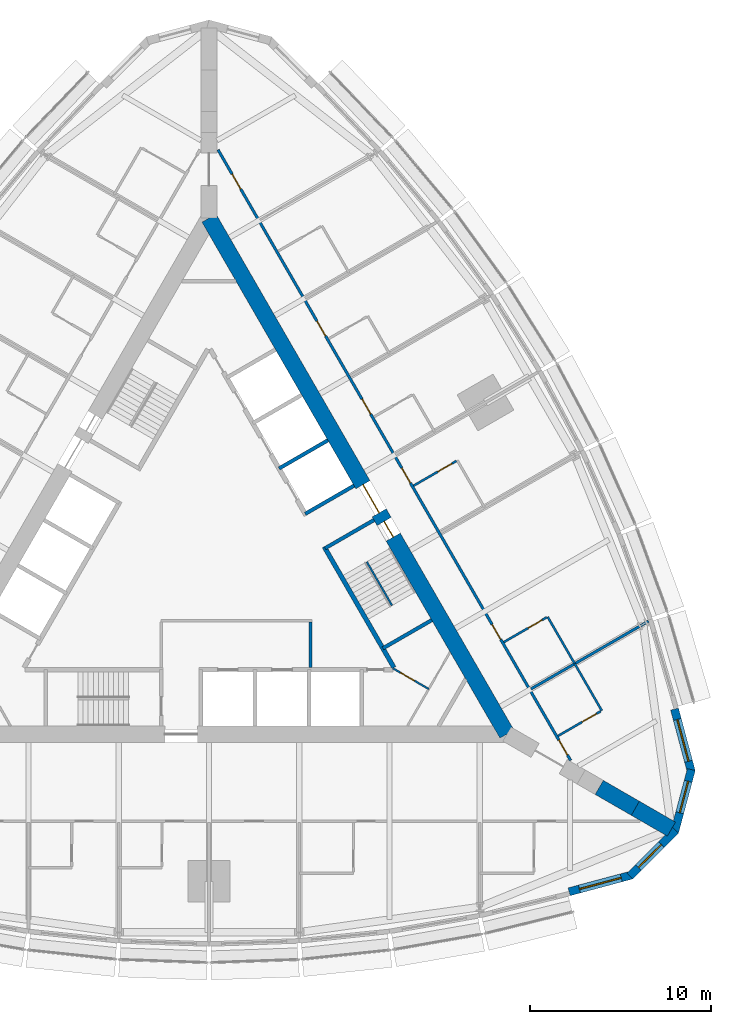
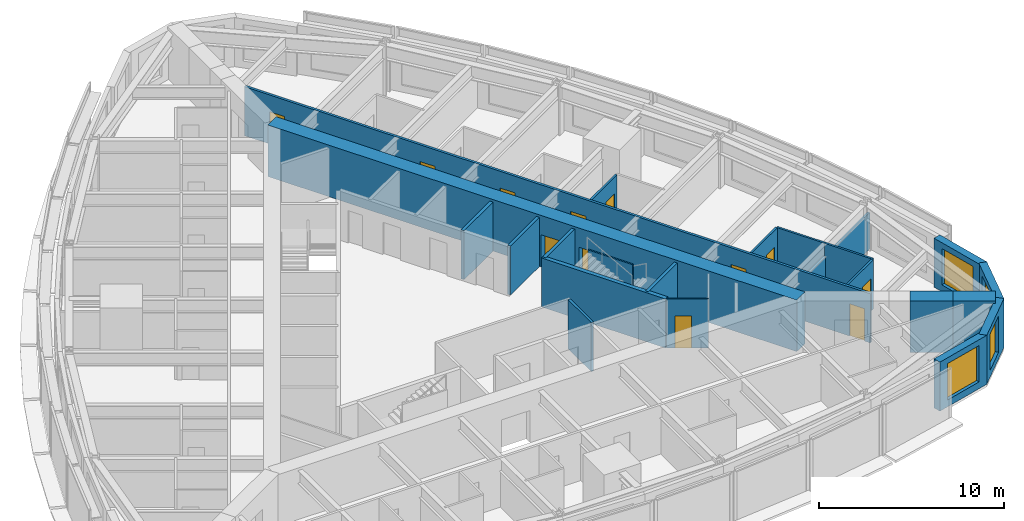
# One storey, part 11 of 14: 22 walls, 12 doors, 4 windows, 16 openings.
"""IFC4 building model written with IfcOpenShell, lengths in metres."""

import ifcopenshell
import ifcopenshell.guid

model = None  # the IFC model being written
_history = None  # IfcOwnerHistory: only IFC2X3 demands one
_inside = {}  # id of a spatial element -> (the spatial element, [elements in it])
_under = {}  # id of a project, library or spatial element -> (it, [spatial elements below it])
_declared = {}  # id of a project -> (the project, [libraries it declares])
_typed = {}  # id of a type object -> (the type object, [elements of that type])
_made_of = {}  # id of a material, layer set ... -> (it, [elements and type objects made of it])


def new_model(schema):
    """Start an empty IFC model of exactly this schema.

    Asked for "IFC4X3", IfcOpenShell would pick the latest addendum, in which some entities
    have other attributes; the version numbers below select the first issue.
    IFC2X3 requires an IfcOwnerHistory on every rooted entity: one is made here for all.
    """
    global model, _history
    if schema == "IFC4X3":
        model = ifcopenshell.file(schema_version=(4, 3, 0, 0))
    else:
        model = ifcopenshell.file(schema=schema)
    _inside.clear()
    _under.clear()
    _declared.clear()
    _typed.clear()
    _made_of.clear()
    _history = None
    if model.schema == "IFC2X3":
        org = make("IfcOrganization", Name="unknown")
        user = make(
            "IfcPersonAndOrganization",
            ThePerson=make("IfcPerson", FamilyName="unknown"),
            TheOrganization=org,
        )
        app = make(
            "IfcApplication",
            ApplicationDeveloper=org,
            Version="unknown",
            ApplicationFullName="unknown",
            ApplicationIdentifier="unknown",
        )
        _history = make(
            "IfcOwnerHistory",
            OwningUser=user,
            OwningApplication=app,
            ChangeAction="ADDED",
            CreationDate=0,
        )
    return model


def make(cls, **values):
    """One entity of the class cls with the attributes given. An attribute that is None is left unset."""
    return model.create_entity(
        cls, **{name: value for name, value in values.items() if value is not None}
    )


def rooted(cls, **values):
    """An entity with a GlobalId (a new one), such as an element, a storey or a relation."""
    return make(cls, GlobalId=ifcopenshell.guid.new(), OwnerHistory=_history, **values)


def si_unit(unit_type, name, prefix=None):
    """IfcSIUnit, for example si_unit("LENGTHUNIT", "METRE", prefix="MILLI")."""
    return make("IfcSIUnit", UnitType=unit_type, Prefix=prefix, Name=name)


def assignment(units):
    """IfcUnitAssignment: the units of a project."""
    return None if units is None else make("IfcUnitAssignment", Units=units)


def point(xyz):
    """IfcCartesianPoint."""
    return None if xyz is None else make("IfcCartesianPoint", Coordinates=xyz)


def direction(xyz):
    """IfcDirection."""
    return None if xyz is None else make("IfcDirection", DirectionRatios=xyz)


def frame(location, z_axis=None, x_axis=None):
    """IfcAxis2Placement3D, a coordinate frame: its origin and axes. An axis left out is left unset."""
    return make(
        "IfcAxis2Placement3D",
        Location=point(location),
        Axis=direction(z_axis),
        RefDirection=direction(x_axis),
    )


def frame_2d(location, x_axis=None):
    """IfcAxis2Placement2D, a coordinate frame in the plane: its origin and x axis."""
    return make(
        "IfcAxis2Placement2D", Location=point(location), RefDirection=direction(x_axis)
    )


def origin():
    """The frame at (0, 0, 0) with its axes left unset."""
    return frame((0.0, 0.0, 0.0))


def place(relative_to, where):
    """IfcLocalPlacement: puts the frame where relative to a parent placement (None: the world)."""
    return make(
        "IfcLocalPlacement", PlacementRelTo=relative_to, RelativePlacement=where
    )


def context(
    kind, dimensions, precision=None, world=None, true_north=None, identifier=None
):
    """IfcGeometricRepresentationContext, for example the 3D "Model" context."""
    return make(
        "IfcGeometricRepresentationContext",
        ContextIdentifier=identifier,
        ContextType=kind,
        CoordinateSpaceDimension=dimensions,
        Precision=precision,
        WorldCoordinateSystem=world,
        TrueNorth=true_north,
    )


def subcontext(parent, identifier, kind, view, scale=None):
    """IfcGeometricRepresentationSubContext, for example "Body" below "Model"."""
    return make(
        "IfcGeometricRepresentationSubContext",
        ContextIdentifier=identifier,
        ContextType=kind,
        ParentContext=parent,
        TargetScale=scale,
        TargetView=view,
    )


def project(units=None, contexts=None):
    """IfcProject with its units and contexts."""
    return rooted(
        "IfcProject",
        Name="project",
        RepresentationContexts=contexts,
        UnitsInContext=assignment(units),
    )


def spatial(cls, under=None, at=None, **own):
    """A site, building, storey or space (cls), placed at a placement, below another one or the project."""
    s = rooted(cls, ObjectPlacement=at, **own)
    if under is not None:
        _under.setdefault(under.id(), (under, []))[1].append(s)
    return s


def polyline(points):
    """IfcPolyline through the points."""
    return make("IfcPolyline", Points=[point(p) for p in points])


def profile(cls, at=None, kind="AREA", **sizes):
    """A parametric profile (cls). Its sizes go by their IFC names, for example OverallWidth=200.0."""
    return make(cls, ProfileType=kind, Position=at, **sizes)


def rectangle(**sizes):
    """IfcRectangleProfileDef."""
    return profile("IfcRectangleProfileDef", **sizes)


def outline(outer, holes=None, kind="AREA"):
    """IfcArbitraryClosedProfileDef: a profile drawn as a closed curve; with holes, ...WithVoids."""
    if holes is None:
        return make("IfcArbitraryClosedProfileDef", ProfileType=kind, OuterCurve=outer)
    return make(
        "IfcArbitraryProfileDefWithVoids",
        ProfileType=kind,
        OuterCurve=outer,
        InnerCurves=holes,
    )


def extrude(swept, where, along, depth):
    """IfcExtrudedAreaSolid: the profile swept, set in the frame where, extruded along a direction by depth."""
    return make(
        "IfcExtrudedAreaSolid",
        SweptArea=swept,
        Position=where,
        ExtrudedDirection=direction(along),
        Depth=depth,
    )


def shape(context_of_items, identifier, shape_type, items):
    """IfcShapeRepresentation: the items that make up one representation, for example the "Body"."""
    return make(
        "IfcShapeRepresentation",
        ContextOfItems=context_of_items,
        RepresentationIdentifier=identifier,
        RepresentationType=shape_type,
        Items=items,
    )


def material(Name=None, Category=None):
    """IfcMaterial."""
    return make("IfcMaterial", Name=Name, Category=Category)


def layer(
    of_material, thickness, ventilated=None, Name=None, Category=None, Priority=None
):
    """IfcMaterialLayer: one layer of a wall or slab, of a material (None: an air gap)."""
    return make(
        "IfcMaterialLayer",
        Material=of_material,
        LayerThickness=thickness,
        IsVentilated=ventilated,
        Name=Name,
        Category=Category,
        Priority=Priority,
    )


def layer_set(layers, Name=None):
    """IfcMaterialLayerSet."""
    return make("IfcMaterialLayerSet", MaterialLayers=layers, LayerSetName=Name)


def made_of(thing, what):
    """Note that an element or type object is made of a material, layer set ...; save() writes the relation."""
    if what is not None:
        _made_of.setdefault(what.id(), (what, []))[1].append(thing)
    return thing


def type_object(cls, material=None, **own):
    """A type object (cls), such as IfcWallType, which elements share."""
    return made_of(rooted(cls, **own), material)


def element(
    cls,
    number,
    at=None,
    inside=None,
    cuts=None,
    type_object=None,
    material=None,
    context=None,
    identifier="Body",
    shape_type=None,
    held_by="IfcProductDefinitionShape",
    body=None,
    shapes=None,
    **own,
):
    """One element of the class cls, such as IfcWall. Its Tag is "e" and its number.

    at: its placement. inside: the storey or other place that contains it. cuts: it is an
    opening in that element (IfcRelVoidsElement). A single representation is given by context,
    identifier, shape_type and body (its items); several are given by shapes. held_by: the class
    of the entity that holds the representations. save() writes the other relations.
    """
    e = rooted(cls, Tag="e%d" % number, ObjectPlacement=at, **own)
    if body is not None:
        shapes = [shape(context, identifier, shape_type, body)]
    if shapes is not None:
        e.Representation = make(held_by, Representations=shapes)
    if inside is not None:
        _inside.setdefault(inside.id(), (inside, []))[1].append(e)
    if cuts is not None:
        rooted(
            "IfcRelVoidsElement", RelatingBuildingElement=cuts, RelatedOpeningElement=e
        )
    if type_object is not None:
        _typed.setdefault(type_object.id(), (type_object, []))[1].append(e)
    return made_of(e, material)


def fill(opening, filler):
    """IfcRelFillsElement: the door or window that sits in an opening."""
    return rooted(
        "IfcRelFillsElement",
        RelatingOpeningElement=opening,
        RelatedBuildingElement=filler,
    )


def aggregate(whole, parts):
    """IfcRelAggregates: a whole, such as a stair, and the parts it consists of."""
    return rooted("IfcRelAggregates", RelatingObject=whole, RelatedObjects=parts)


def save(model, path):
    """Write the relations noted so far, then the file.

    IfcRelAggregates (storeys below a building ...), IfcRelContainedInSpatialStructure (elements
    in a storey), IfcRelDefinesByType, IfcRelAssociatesMaterial and IfcRelDeclares: one each for
    every whole, place, type object, material and project.
    """
    for whole, parts in _under.values():
        aggregate(whole, parts)
    for where, things in _inside.values():
        rooted(
            "IfcRelContainedInSpatialStructure",
            RelatedElements=things,
            RelatingStructure=where,
        )
    for kind, things in _typed.values():
        rooted("IfcRelDefinesByType", RelatedObjects=things, RelatingType=kind)
    for what, things in _made_of.values():
        rooted("IfcRelAssociatesMaterial", RelatedObjects=things, RelatingMaterial=what)
    for by, libraries in _declared.values():
        rooted("IfcRelDeclares", RelatingContext=by, RelatedDefinitions=libraries)
    model.write(path)


model = new_model("IFC4")

# Units and contexts
model_context = context("Model", 3, precision=1e-05, world=origin(), true_north=direction((0.0, 1.0)))
body_context = subcontext(model_context, "Body", "Model", "MODEL_VIEW")
ifc_project = project(units=[si_unit("LENGTHUNIT", "METRE"), si_unit("AREAUNIT", "SQUARE_METRE"), si_unit("VOLUMEUNIT", "CUBIC_METRE"), si_unit("PLANEANGLEUNIT", "RADIAN"), si_unit("MASSUNIT", "GRAM", prefix="KILO")], contexts=[model_context])

# Site, building, storey
site_placement = place(None, origin())
site = spatial("IfcSite", under=ifc_project, at=site_placement, CompositionType="ELEMENT")
building_placement = place(site_placement, origin())
building = spatial("IfcBuilding", under=site, at=building_placement, Name="Trikona Tower", CompositionType="ELEMENT")
storey_placement = place(building_placement, frame((0.0, 0.0, 121.5)))
storey = spatial("IfcBuildingStorey", under=building, at=storey_placement, Name="L31", CompositionType="ELEMENT", Elevation=121.5)

# Wall
ifc_material_1 = material(Name="Metal stud and cement board", Category="gypsum")
ifc_layer_1 = layer(ifc_material_1, 0.1201171875)
ifc_layer_set_1 = layer_set([ifc_layer_1], Name="Bathroom wall 120")
wall_type_1 = type_object("IfcWallType", Name="Bathroom wall 120", PredefinedType="PLUMBINGWALL", material=ifc_layer_set_1)
wall_1_placement = place(storey_placement, frame((21.75341796875, -8.225341796875, 0.0), z_axis=(0.0, 0.0, 1.0), x_axis=(-0.499990139034, 0.866031096941, 0.0)))
element("IfcWall", 1, at=wall_1_placement, inside=storey, type_object=wall_type_1, Name="Bathroom wall 3107", PredefinedType="PLUMBINGWALL", context=body_context, shape_type="SweptSolid", body=[
    extrude(rectangle(XDim=3.0, YDim=0.1201171875, at=frame_2d((1.5, 0.0))), origin(), (0.0, 0.0, 1.0), 3.235107421875),
])

# Wall, opening, door
wall_2_placement = place(storey_placement, frame((19.32861328125, -9.625244140625, 0.0), z_axis=(0.0, 0.0, 1.0), x_axis=(0.866035715982, 0.499982138324, 0.0)))
wall_2 = element("IfcWall", 2, at=wall_2_placement, inside=storey, type_object=wall_type_1, Name="Bathroom wall 3107", PredefinedType="PLUMBINGWALL", context=body_context, shape_type="SweptSolid", body=[
    extrude(rectangle(XDim=2.73974609375, YDim=0.1201171875, at=frame_2d((1.369873046875, 0.0))), origin(), (0.0, 0.0, 1.0), 3.235107421875),
])
opening_1_placement = place(wall_2_placement, frame((1.550048828125, 0.0, 0.0)))
opening_1 = element("IfcOpeningElement", 3, at=opening_1_placement, cuts=wall_2, Name="Opening D2", PredefinedType="OPENING", context=body_context, shape_type="SweptSolid", body=[
    extrude(rectangle(XDim=0.89990234375, YDim=2.1298828125, at=frame_2d((0.449951171875, 1.06494140625))), frame((0.0, 0.070068359375, 0.0), z_axis=(0.0, -1.0, 0.0), x_axis=(1.0, 0.0, 0.0)), (0.0, 0.0, 1.0), 0.14013671875),
])
ifc_material_2 = material(Name="Steel door frame with solid-core timber leaf", Category="steel")
door_type_1 = type_object("IfcDoorType", Name="Bathroom door 900x2130", OperationType="SLIDING_TO_LEFT", PredefinedType="DOOR", material=ifc_material_2)
door_1_placement = place(opening_1_placement, origin())
door_1 = element("IfcDoor", 4, at=door_1_placement, inside=storey, type_object=door_type_1, Name="Bathroom door 3107", OperationType="SLIDING_TO_LEFT", OverallHeight=2.1298828125, OverallWidth=0.89990234375, PredefinedType="DOOR", context=body_context, shape_type="SweptSolid", body=[
    extrude(rectangle(XDim=0.89990234375, YDim=2.1298828125, at=frame_2d((0.449951171875, 1.06494140625))), frame((0.0, 0.02490234375, 0.0), z_axis=(0.0, -1.0, 0.0), x_axis=(1.0, 0.0, 0.0)), (0.0, 0.0, 1.0), 0.050048828125),
])
fill(opening_1, door_1)

# Wall
wall_3_placement = place(storey_placement, frame((20.25341796875, -5.627197265625, 0.0), z_axis=(0.0, 0.0, 1.0), x_axis=(-0.50002537861, 0.866010750942, 0.0)))
element("IfcWall", 5, at=wall_3_placement, inside=storey, type_object=wall_type_1, Name="Bathroom wall 3108", PredefinedType="PLUMBINGWALL", context=body_context, shape_type="SweptSolid", body=[
    extrude(rectangle(XDim=2.999755859375, YDim=0.1201171875, at=frame_2d((1.5, 0.0))), origin(), (0.0, 0.0, 1.0), 3.235107421875),
])

# Wall, opening, door
wall_4_placement = place(storey_placement, frame((16.32861328125, -4.42919921875, 0.0), z_axis=(0.0, 0.0, 1.0), x_axis=(0.865997131366, 0.500048966069, 0.0)))
wall_4 = element("IfcWall", 6, at=wall_4_placement, inside=storey, type_object=wall_type_1, Name="Bathroom wall 3108", PredefinedType="PLUMBINGWALL", context=body_context, shape_type="SweptSolid", body=[
    extrude(rectangle(XDim=2.739990234375, YDim=0.1201171875, at=frame_2d((1.3701171875, 0.0))), origin(), (0.0, 0.0, 1.0), 3.235107421875),
])
opening_2_placement = place(wall_4_placement, frame((1.550048828125, 0.0, 0.0)))
opening_2 = element("IfcOpeningElement", 7, at=opening_2_placement, cuts=wall_4, Name="Opening D2", PredefinedType="OPENING", context=body_context, shape_type="SweptSolid", body=[
    extrude(rectangle(XDim=0.89990234375, YDim=2.1298828125, at=frame_2d((0.449951171875, 1.06494140625))), frame((0.0, 0.070068359375, 0.0), z_axis=(0.0, -1.0, 0.0), x_axis=(1.0, 0.0, 0.0)), (0.0, 0.0, 1.0), 0.14013671875),
])
door_2_placement = place(opening_2_placement, origin())
door_2 = element("IfcDoor", 8, at=door_2_placement, inside=storey, type_object=door_type_1, Name="Bathroom door 3108", OperationType="SLIDING_TO_LEFT", OverallHeight=2.1298828125, OverallWidth=0.89990234375, PredefinedType="DOOR", context=body_context, shape_type="SweptSolid", body=[
    extrude(rectangle(XDim=0.89990234375, YDim=2.1298828125, at=frame_2d((0.449951171875, 1.06494140625))), frame((0.0, 0.02490234375, 0.0), z_axis=(0.0, -1.0, 0.0), x_axis=(1.0, 0.0, 0.0)), (0.0, 0.0, 1.0), 0.050048828125),
])
fill(opening_2, door_2)

wall_5_placement = place(storey_placement, frame((11.32861328125, 4.231201171875, 0.0), z_axis=(0.0, 0.0, 1.0), x_axis=(0.866035715982, 0.499982138324, 0.0)))
wall_5 = element("IfcWall", 9, at=wall_5_placement, inside=storey, type_object=wall_type_1, Name="Bathroom wall 3109", PredefinedType="PLUMBINGWALL", context=body_context, shape_type="SweptSolid", body=[
    extrude(rectangle(XDim=2.73974609375, YDim=0.1201171875, at=frame_2d((1.369873046875, 0.0))), origin(), (0.0, 0.0, 1.0), 3.235107421875),
])
opening_3_placement = place(wall_5_placement, frame((1.550048828125, 0.0, 0.0)))
opening_3 = element("IfcOpeningElement", 10, at=opening_3_placement, cuts=wall_5, Name="Opening D2", PredefinedType="OPENING", context=body_context, shape_type="SweptSolid", body=[
    extrude(rectangle(XDim=0.89990234375, YDim=2.1298828125, at=frame_2d((0.449951171875, 1.06494140625))), frame((0.0, 0.070068359375, 0.0), z_axis=(0.0, -1.0, 0.0), x_axis=(1.0, 0.0, 0.0)), (0.0, 0.0, 1.0), 0.14013671875),
])
door_3_placement = place(opening_3_placement, origin())
door_3 = element("IfcDoor", 11, at=door_3_placement, inside=storey, type_object=door_type_1, Name="Bathroom door 3109", OperationType="SLIDING_TO_LEFT", OverallHeight=2.1298828125, OverallWidth=0.89990234375, PredefinedType="DOOR", context=body_context, shape_type="SweptSolid", body=[
    extrude(rectangle(XDim=0.89990234375, YDim=2.1298828125, at=frame_2d((0.449951171875, 1.06494140625))), frame((0.0, 0.02490234375, 0.0), z_axis=(0.0, -1.0, 0.0), x_axis=(1.0, 0.0, 0.0)), (0.0, 0.0, 1.0), 0.050048828125),
])
fill(opening_3, door_3)

# Wall, opening, window
ifc_material_3 = material(Name="Brick-faced precast concrete", Category="masonry")
ifc_layer_2 = layer(ifc_material_3, 0.449951171875)
ifc_layer_set_2 = layer_set([ifc_layer_2], Name="Brick-faced corner wall 450")
wall_type_2 = type_object("IfcWallType", Name="Brick-faced corner wall 450", PredefinedType="SOLIDWALL", material=ifc_layer_set_2)
wall_6_placement = place(storey_placement, frame((19.94189453125, -18.2578125, 0.0), z_axis=(0.0, 0.0, 1.0), x_axis=(0.965924653531, 0.258823421857, 0.0)))
wall_6 = element("IfcWall", 12, at=wall_6_placement, inside=storey, type_object=wall_type_2, Name="External wall L31-08", PredefinedType="SOLIDWALL", context=body_context, shape_type="SweptSolid", body=[
    extrude(rectangle(XDim=3.58642578125, YDim=0.449951171875, at=frame_2d((1.793212890625, 0.0))), origin(), (0.0, 0.0, 1.0), 3.235107421875),
])
opening_4_placement = place(wall_6_placement, frame((0.593017578125, 0.0, 0.449951171875)))
opening_4 = element("IfcOpeningElement", 13, at=opening_4_placement, cuts=wall_6, Name="Opening W2424", PredefinedType="OPENING", context=body_context, shape_type="SweptSolid", body=[
    extrude(rectangle(XDim=2.39990234375, YDim=2.39990234375, at=frame_2d((1.199951171875, 1.199951171875))), frame((0.0, 0.23486328125, 0.0), z_axis=(0.0, -1.0, 0.0), x_axis=(1.0, 0.0, 0.0)), (0.0, 0.0, 1.0), 0.469970703125),
])
ifc_material_4 = material(Name="Aluminium-framed double glazing", Category="aluminium")
window_type_1 = type_object("IfcWindowType", Name="Window 2400x2400", PartitioningType="SINGLE_PANEL", PredefinedType="WINDOW", material=ifc_material_4)
window_1_placement = place(opening_4_placement, origin())
window_1 = element("IfcWindow", 14, at=window_1_placement, inside=storey, type_object=window_type_1, Name="Window 3106", OverallHeight=2.39990234375, OverallWidth=2.39990234375, PartitioningType="SINGLE_PANEL", PredefinedType="WINDOW", context=body_context, shape_type="SweptSolid", body=[
    extrude(rectangle(XDim=2.39990234375, YDim=2.39990234375, at=frame_2d((1.199951171875, 1.199951171875))), frame((0.0, 0.030029296875, 0.0), z_axis=(0.0, -1.0, 0.0), x_axis=(1.0, 0.0, 0.0)), (0.0, 0.0, 1.0), 0.06005859375),
])
fill(opening_4, window_1)

wall_7_placement = place(storey_placement, frame((23.304931640625, -17.387939453125, 0.0), z_axis=(0.0, 0.0, 1.0), x_axis=(0.707106781187, 0.707106781187, 0.0)))
wall_7 = element("IfcWall", 15, at=wall_7_placement, inside=storey, type_object=wall_type_2, Name="External wall L31-09", PredefinedType="SOLIDWALL", context=body_context, shape_type="SweptSolid", body=[
    extrude(outline(polyline([(3.586181640625, 0.22509765625), (3.527099609375, 0.22509765625), (3.03515625, 0.09326171875), (3.0, 0.22509765625), (0.0, 0.22509765625), (0.0, -0.22509765625), (3.586181640625, -0.22509765625), (3.586181640625, 0.22509765625)])), origin(), (0.0, 0.0, 1.0), 3.235107421875),
])
opening_5_placement = place(wall_7_placement, frame((0.6748046875, 0.0, 0.449951171875)))
opening_5 = element("IfcOpeningElement", 16, at=opening_5_placement, cuts=wall_7, Name="Opening W1824", PredefinedType="OPENING", context=body_context, shape_type="SweptSolid", body=[
    extrude(rectangle(XDim=1.800048828125, YDim=2.39990234375, at=frame_2d((0.89990234375, 1.199951171875))), frame((0.0, 0.23486328125, 0.0), z_axis=(0.0, -1.0, 0.0), x_axis=(1.0, 0.0, 0.0)), (0.0, 0.0, 1.0), 0.469970703125),
])
ifc_material_5 = material(Name="Aluminium-framed double glazing", Category="aluminium")
window_type_2 = type_object("IfcWindowType", Name="Window 1800x2400", PartitioningType="SINGLE_PANEL", PredefinedType="WINDOW", material=ifc_material_5)
window_2_placement = place(opening_5_placement, origin())
window_2 = element("IfcWindow", 17, at=window_2_placement, inside=storey, type_object=window_type_2, Name="Window 3106", OverallHeight=2.39990234375, OverallWidth=1.800048828125, PartitioningType="SINGLE_PANEL", PredefinedType="WINDOW", context=body_context, shape_type="SweptSolid", body=[
    extrude(rectangle(XDim=1.800048828125, YDim=2.39990234375, at=frame_2d((0.89990234375, 1.199951171875))), frame((0.0, 0.030029296875, 0.0), z_axis=(0.0, -1.0, 0.0), x_axis=(1.0, 0.0, 0.0)), (0.0, 0.0, 1.0), 0.06005859375),
])
fill(opening_5, window_2)

wall_8_placement = place(storey_placement, frame((25.78271484375, -14.952880859375, 0.0), z_axis=(0.0, 0.0, 1.0), x_axis=(0.258823421857, 0.965924653531, 0.0)))
wall_8 = element("IfcWall", 18, at=wall_8_placement, inside=storey, type_object=wall_type_2, Name="External wall L31-10", PredefinedType="SOLIDWALL", context=body_context, shape_type="SweptSolid", body=[
    extrude(outline(polyline([(3.58642578125, 0.22509765625), (0.58642578125, 0.22509765625), (0.551025390625, 0.09326171875), (0.0595703125, 0.22509765625), (0.0, 0.22509765625), (0.0, -0.22509765625), (3.58642578125, -0.22509765625), (3.58642578125, 0.22509765625)])), origin(), (0.0, 0.0, 1.0), 3.235107421875),
])
opening_6_placement = place(wall_8_placement, frame((1.111328125, 0.0, 0.449951171875)))
opening_6 = element("IfcOpeningElement", 19, at=opening_6_placement, cuts=wall_8, Name="Opening W1824", PredefinedType="OPENING", context=body_context, shape_type="SweptSolid", body=[
    extrude(rectangle(XDim=1.800048828125, YDim=2.39990234375, at=frame_2d((0.89990234375, 1.199951171875))), frame((0.0, 0.23486328125, 0.0), z_axis=(0.0, -1.0, 0.0), x_axis=(1.0, 0.0, 0.0)), (0.0, 0.0, 1.0), 0.469970703125),
])
window_3_placement = place(opening_6_placement, origin())
window_3 = element("IfcWindow", 20, at=window_3_placement, inside=storey, type_object=window_type_2, Name="Window 3107", OverallHeight=2.39990234375, OverallWidth=1.800048828125, PartitioningType="SINGLE_PANEL", PredefinedType="WINDOW", context=body_context, shape_type="SweptSolid", body=[
    extrude(rectangle(XDim=1.800048828125, YDim=2.39990234375, at=frame_2d((0.89990234375, 1.199951171875))), frame((0.0, 0.030029296875, 0.0), z_axis=(0.0, -1.0, 0.0), x_axis=(1.0, 0.0, 0.0)), (0.0, 0.0, 1.0), 0.06005859375),
])
fill(opening_6, window_3)

wall_9_placement = place(storey_placement, frame((26.7109375, -11.605224609375, 0.0), z_axis=(0.0, 0.0, 1.0), x_axis=(-0.258823421857, 0.965924653531, 0.0)))
wall_9 = element("IfcWall", 21, at=wall_9_placement, inside=storey, type_object=wall_type_2, Name="External wall L31-11", PredefinedType="SOLIDWALL", context=body_context, shape_type="SweptSolid", body=[
    extrude(rectangle(XDim=3.58642578125, YDim=0.449951171875, at=frame_2d((1.793212890625, 0.0))), origin(), (0.0, 0.0, 1.0), 3.235107421875),
])
opening_7_placement = place(wall_9_placement, frame((0.593017578125, 0.0, 0.449951171875)))
opening_7 = element("IfcOpeningElement", 22, at=opening_7_placement, cuts=wall_9, Name="Opening W2424", PredefinedType="OPENING", context=body_context, shape_type="SweptSolid", body=[
    extrude(rectangle(XDim=2.39990234375, YDim=2.39990234375, at=frame_2d((1.199951171875, 1.199951171875))), frame((0.0, 0.23486328125, 0.0), z_axis=(0.0, -1.0, 0.0), x_axis=(1.0, 0.0, 0.0)), (0.0, 0.0, 1.0), 0.469970703125),
])
window_4_placement = place(opening_7_placement, origin())
window_4 = element("IfcWindow", 23, at=window_4_placement, inside=storey, type_object=window_type_1, Name="Window 3107", OverallHeight=2.39990234375, OverallWidth=2.39990234375, PartitioningType="SINGLE_PANEL", PredefinedType="WINDOW", context=body_context, shape_type="SweptSolid", body=[
    extrude(rectangle(XDim=2.39990234375, YDim=2.39990234375, at=frame_2d((1.199951171875, 1.199951171875))), frame((0.0, 0.030029296875, 0.0), z_axis=(0.0, -1.0, 0.0), x_axis=(1.0, 0.0, 0.0)), (0.0, 0.0, 1.0), 0.06005859375),
])
fill(opening_7, window_4)

# Walls
ifc_material_6 = material(Name="Concrete f'c 10000 psi", Category="concrete")
ifc_layer_3 = layer(ifc_material_6, 0.89990234375)
ifc_layer_set_3 = layer_set([ifc_layer_3], Name="Buttress wall 900")
wall_type_3 = type_object("IfcWallType", Name="Buttress wall 900", PredefinedType="SHEAR", material=ifc_layer_set_3)
for number, where, z_axis, x_axis, name in (
    (24, (21.6103515625, -12.476806640625, 0.0), (0.0, 0.0, 1.0), (0.866055313784, -0.499948190782, 0.0), "Buttress wall 1 part 3"),
    (25, (23.6103515625, -13.63134765625, 0.0), (0.0, 0.0, 1.0), (0.866009537788, -0.500027479704, 0.0), "Buttress wall 1 part 4"),
):
    element("IfcWall", number, at=place(storey_placement, frame(where, z_axis=z_axis, x_axis=x_axis)), inside=storey, type_object=wall_type_3, Name=name, PredefinedType="SHEAR", context=body_context, shape_type="SweptSolid", body=[
        extrude(rectangle(XDim=2.309326171875, YDim=0.89990234375, at=frame_2d((1.15478515625, 0.0))), origin(), (0.0, 0.0, 1.0), 3.39990234375),
    ])

# Wall, openings, doors
ifc_material_7 = material(Name="Concrete f'c 10000 psi", Category="concrete")
ifc_layer_4 = layer(ifc_material_7, 0.89990234375)
ifc_layer_set_4 = layer_set([ifc_layer_4], Name="Core wall 900")
wall_type_4 = type_object("IfcWallType", Name="Core wall 900", PredefinedType="SHEAR", material=ifc_layer_set_4)
wall_10_placement = place(storey_placement, frame((16.5, -9.5263671875, 0.0), z_axis=(0.0, 0.0, 1.0), x_axis=(-0.499999749417, 0.866025548458, 0.0)))
wall_10 = element("IfcWall", 26, at=wall_10_placement, inside=storey, type_object=wall_type_4, Name="Core wall B", PredefinedType="SHEAR", context=body_context, shape_type="SweptSolid", body=[
    extrude(rectangle(XDim=33.0, YDim=0.89990234375, at=frame_2d((16.5, 0.0))), origin(), (0.0, 0.0, 1.0), 3.39990234375),
])
opening_8_placement = place(wall_10_placement, frame((14.14990234375, 0.0, 0.0)))
opening_8 = element("IfcOpeningElement", 27, at=opening_8_placement, cuts=wall_10, Name="Opening D6", PredefinedType="OPENING", context=body_context, shape_type="SweptSolid", body=[
    extrude(rectangle(XDim=1.800048828125, YDim=2.1298828125, at=frame_2d((0.89990234375, 1.06494140625))), frame((0.0, 0.4599609375, 0.0), z_axis=(0.0, -1.0, 0.0), x_axis=(1.0, 0.0, 0.0)), (0.0, 0.0, 1.0), 0.919921875),
])
opening_9_placement = place(wall_10_placement, frame((12.60009765625, 0.0, 0.0)))
opening_9 = element("IfcOpeningElement", 28, at=opening_9_placement, cuts=wall_10, Name="Opening D5", PredefinedType="OPENING", context=body_context, shape_type="SweptSolid", body=[
    extrude(rectangle(XDim=1.0, YDim=2.1298828125, at=frame_2d((0.5, 1.06494140625))), frame((0.0, 0.4599609375, 0.0), z_axis=(0.0, -1.0, 0.0), x_axis=(1.0, 0.0, 0.0)), (0.0, 0.0, 1.0), 0.919921875),
])
ifc_material_8 = material(Name="Hollow metal door and frame", Category="steel")
door_type_2 = type_object("IfcDoorType", Name="Lobby door pair 1800x2130", OperationType="DOUBLE_DOOR_SINGLE_SWING", PredefinedType="DOOR", material=ifc_material_8)
door_4_placement = place(opening_8_placement, origin())
door_4 = element("IfcDoor", 29, at=door_4_placement, inside=storey, type_object=door_type_2, Name="Lift lobby door B", OperationType="DOUBLE_DOOR_SINGLE_SWING", OverallHeight=2.1298828125, OverallWidth=1.800048828125, PredefinedType="DOOR", context=body_context, shape_type="SweptSolid", body=[
    extrude(rectangle(XDim=1.800048828125, YDim=2.1298828125, at=frame_2d((0.89990234375, 1.06494140625))), frame((0.0, 0.02490234375, 0.0), z_axis=(0.0, -1.0, 0.0), x_axis=(1.0, 0.0, 0.0)), (0.0, 0.0, 1.0), 0.050048828125),
])
fill(opening_8, door_4)
ifc_material_9 = material(Name="Hollow metal door and frame", Category="steel")
door_type_3 = type_object("IfcDoorType", Name="Stair door 1000x2130", OperationType="SINGLE_SWING_LEFT", PredefinedType="DOOR", material=ifc_material_9)
door_5_placement = place(opening_9_placement, origin())
door_5 = element("IfcDoor", 30, at=door_5_placement, inside=storey, type_object=door_type_3, Name="Stair B door", OperationType="SINGLE_SWING_RIGHT", OverallHeight=2.1298828125, OverallWidth=1.0, PredefinedType="DOOR", context=body_context, shape_type="SweptSolid", body=[
    extrude(rectangle(XDim=1.0, YDim=2.1298828125, at=frame_2d((0.5, 1.06494140625))), frame((0.0, 0.02490234375, 0.0), z_axis=(0.0, -1.0, 0.0), x_axis=(1.0, 0.0, 0.0)), (0.0, 0.0, 1.0), 0.050048828125),
])
fill(opening_9, door_5)

ifc_material_10 = material(Name="Metal stud and gypsum board, 1-hour", Category="gypsum")
ifc_layer_5 = layer(ifc_material_10, 0.14990234375)
ifc_layer_set_5 = layer_set([ifc_layer_5], Name="Corridor wall 150")
wall_type_5 = type_object("IfcWallType", Name="Corridor wall 150", PredefinedType="PARTITIONING", material=ifc_layer_set_5)
wall_11_placement = place(storey_placement, frame((20.027099609375, -10.9853515625, 0.0), z_axis=(0.0, 0.0, 1.0), x_axis=(-0.500001677587, 0.866024435227, 0.0)))
wall_11 = element("IfcWall", 31, at=wall_11_placement, inside=storey, type_object=wall_type_5, Name="Corridor wall L31-2", PredefinedType="PARTITIONING", context=body_context, shape_type="SweptSolid", body=[
    extrude(rectangle(XDim=39.053955078125, YDim=0.14990234375, at=frame_2d((19.52685546875, 0.0))), origin(), (0.0, 0.0, 1.0), 3.235107421875),
])
opening_10_placement = place(wall_11_placement, frame((0.35205078125, 0.0, 0.0)))
opening_10 = element("IfcOpeningElement", 32, at=opening_10_placement, cuts=wall_11, Name="Opening D1", PredefinedType="OPENING", context=body_context, shape_type="SweptSolid", body=[
    extrude(rectangle(XDim=0.949951171875, YDim=2.1298828125, at=frame_2d((0.47509765625, 1.06494140625))), frame((0.0, 0.0849609375, 0.0), z_axis=(0.0, -1.0, 0.0), x_axis=(1.0, 0.0, 0.0)), (0.0, 0.0, 1.0), 0.169921875),
])
opening_11_placement = place(wall_11_placement, frame((7.751953125, 0.0, 0.0)))
opening_11 = element("IfcOpeningElement", 33, at=opening_11_placement, cuts=wall_11, Name="Opening D1", PredefinedType="OPENING", context=body_context, shape_type="SweptSolid", body=[
    extrude(rectangle(XDim=0.949951171875, YDim=2.1298828125, at=frame_2d((0.47509765625, 1.06494140625))), frame((0.0, 0.0849609375, 0.0), z_axis=(0.0, -1.0, 0.0), x_axis=(1.0, 0.0, 0.0)), (0.0, 0.0, 1.0), 0.169921875),
])
opening_12_placement = place(wall_11_placement, frame((17.751953125, 0.0, 0.0)))
opening_12 = element("IfcOpeningElement", 34, at=opening_12_placement, cuts=wall_11, Name="Opening D1", PredefinedType="OPENING", context=body_context, shape_type="SweptSolid", body=[
    extrude(rectangle(XDim=0.949951171875, YDim=2.1298828125, at=frame_2d((0.47509765625, 1.06494140625))), frame((0.0, 0.0849609375, 0.0), z_axis=(0.0, -1.0, 0.0), x_axis=(1.0, 0.0, 0.0)), (0.0, 0.0, 1.0), 0.169921875),
])
opening_13_placement = place(wall_11_placement, frame((22.152099609375, 0.0, 0.0)))
opening_13 = element("IfcOpeningElement", 35, at=opening_13_placement, cuts=wall_11, Name="Opening D1", PredefinedType="OPENING", context=body_context, shape_type="SweptSolid", body=[
    extrude(rectangle(XDim=0.949951171875, YDim=2.1298828125, at=frame_2d((0.47509765625, 1.06494140625))), frame((0.0, 0.0849609375, 0.0), z_axis=(0.0, -1.0, 0.0), x_axis=(1.0, 0.0, 0.0)), (0.0, 0.0, 1.0), 0.169921875),
])
opening_14_placement = place(wall_11_placement, frame((27.152099609375, 0.0, 0.0)))
opening_14 = element("IfcOpeningElement", 36, at=opening_14_placement, cuts=wall_11, Name="Opening D1", PredefinedType="OPENING", context=body_context, shape_type="SweptSolid", body=[
    extrude(rectangle(XDim=0.949951171875, YDim=2.1298828125, at=frame_2d((0.47509765625, 1.06494140625))), frame((0.0, 0.0849609375, 0.0), z_axis=(0.0, -1.0, 0.0), x_axis=(1.0, 0.0, 0.0)), (0.0, 0.0, 1.0), 0.169921875),
])
opening_15_placement = place(wall_11_placement, frame((36.545654296875, 0.0, 0.0)))
opening_15 = element("IfcOpeningElement", 37, at=opening_15_placement, cuts=wall_11, Name="Opening D1", PredefinedType="OPENING", context=body_context, shape_type="SweptSolid", body=[
    extrude(rectangle(XDim=0.949951171875, YDim=2.1298828125, at=frame_2d((0.47509765625, 1.06494140625))), frame((0.0, 0.0849609375, 0.0), z_axis=(0.0, -1.0, 0.0), x_axis=(1.0, 0.0, 0.0)), (0.0, 0.0, 1.0), 0.169921875),
])
ifc_material_11 = material(Name="Steel door frame with solid-core timber leaf", Category="steel")
door_type_4 = type_object("IfcDoorType", Name="Guest room door 950x2130", OperationType="SINGLE_SWING_LEFT", PredefinedType="DOOR", material=ifc_material_11)
door_6_placement = place(opening_10_placement, origin())
door_6 = element("IfcDoor", 38, at=door_6_placement, inside=storey, type_object=door_type_4, Name="Room door 3107", OperationType="SINGLE_SWING_LEFT", OverallHeight=2.1298828125, OverallWidth=0.949951171875, PredefinedType="DOOR", context=body_context, shape_type="SweptSolid", body=[
    extrude(rectangle(XDim=0.949951171875, YDim=2.1298828125, at=frame_2d((0.47509765625, 1.06494140625))), frame((0.0, 0.02490234375, 0.0), z_axis=(0.0, -1.0, 0.0), x_axis=(1.0, 0.0, 0.0)), (0.0, 0.0, 1.0), 0.050048828125),
])
fill(opening_10, door_6)
door_7_placement = place(opening_11_placement, origin())
door_7 = element("IfcDoor", 39, at=door_7_placement, inside=storey, type_object=door_type_4, Name="Room door 3108", OperationType="SINGLE_SWING_RIGHT", OverallHeight=2.1298828125, OverallWidth=0.949951171875, PredefinedType="DOOR", context=body_context, shape_type="SweptSolid", body=[
    extrude(rectangle(XDim=0.949951171875, YDim=2.1298828125, at=frame_2d((0.47509765625, 1.06494140625))), frame((0.0, 0.02490234375, 0.0), z_axis=(0.0, -1.0, 0.0), x_axis=(1.0, 0.0, 0.0)), (0.0, 0.0, 1.0), 0.050048828125),
])
fill(opening_11, door_7)
door_8_placement = place(opening_12_placement, origin())
door_8 = element("IfcDoor", 40, at=door_8_placement, inside=storey, type_object=door_type_4, Name="Room door 3109", OperationType="SINGLE_SWING_LEFT", OverallHeight=2.1298828125, OverallWidth=0.949951171875, PredefinedType="DOOR", context=body_context, shape_type="SweptSolid", body=[
    extrude(rectangle(XDim=0.949951171875, YDim=2.1298828125, at=frame_2d((0.47509765625, 1.06494140625))), frame((0.0, 0.02490234375, 0.0), z_axis=(0.0, -1.0, 0.0), x_axis=(1.0, 0.0, 0.0)), (0.0, 0.0, 1.0), 0.050048828125),
])
fill(opening_12, door_8)
door_9_placement = place(opening_13_placement, origin())
door_9 = element("IfcDoor", 41, at=door_9_placement, inside=storey, type_object=door_type_4, Name="Room door 3110", OperationType="SINGLE_SWING_RIGHT", OverallHeight=2.1298828125, OverallWidth=0.949951171875, PredefinedType="DOOR", context=body_context, shape_type="SweptSolid", body=[
    extrude(rectangle(XDim=0.949951171875, YDim=2.1298828125, at=frame_2d((0.47509765625, 1.06494140625))), frame((0.0, 0.02490234375, 0.0), z_axis=(0.0, -1.0, 0.0), x_axis=(1.0, 0.0, 0.0)), (0.0, 0.0, 1.0), 0.050048828125),
])
fill(opening_13, door_9)
door_10_placement = place(opening_14_placement, origin())
door_10 = element("IfcDoor", 42, at=door_10_placement, inside=storey, type_object=door_type_4, Name="Room door 3111", OperationType="SINGLE_SWING_LEFT", OverallHeight=2.1298828125, OverallWidth=0.949951171875, PredefinedType="DOOR", context=body_context, shape_type="SweptSolid", body=[
    extrude(rectangle(XDim=0.949951171875, YDim=2.1298828125, at=frame_2d((0.47509765625, 1.06494140625))), frame((0.0, 0.02490234375, 0.0), z_axis=(0.0, -1.0, 0.0), x_axis=(1.0, 0.0, 0.0)), (0.0, 0.0, 1.0), 0.050048828125),
])
fill(opening_14, door_10)
door_11_placement = place(opening_15_placement, origin())
door_11 = element("IfcDoor", 43, at=door_11_placement, inside=storey, type_object=door_type_4, Name="Room door 3112", OperationType="SINGLE_SWING_RIGHT", OverallHeight=2.1298828125, OverallWidth=0.949951171875, PredefinedType="DOOR", context=body_context, shape_type="SweptSolid", body=[
    extrude(rectangle(XDim=0.949951171875, YDim=2.1298828125, at=frame_2d((0.47509765625, 1.06494140625))), frame((0.0, 0.02490234375, 0.0), z_axis=(0.0, -1.0, 0.0), x_axis=(1.0, 0.0, 0.0)), (0.0, 0.0, 1.0), 0.050048828125),
])
fill(opening_15, door_11)

# Walls
ifc_material_12 = material(Name="Concrete f'c 8000 psi", Category="concrete")
ifc_layer_6 = layer(ifc_material_12, 0.25)
ifc_layer_set_6 = layer_set([ifc_layer_6], Name="Hub wall 250")
wall_type_6 = type_object("IfcWallType", Name="Hub wall 250", PredefinedType="SOLIDWALL", material=ifc_layer_set_6)
wall_12_placement = place(storey_placement, frame((10.245361328125, -5.843017578125, 0.0), z_axis=(0.0, 0.0, 1.0), x_axis=(-0.499993009313, 0.866029439822, 0.0)))
element("IfcWall", 44, at=wall_12_placement, inside=storey, type_object=wall_type_6, Name="Lift lobby wall B1", PredefinedType="SOLIDWALL", context=body_context, shape_type="SweptSolid", body=[
    extrude(rectangle(XDim=7.73291015625, YDim=0.25, at=frame_2d((3.866455078125, 0.0))), origin(), (0.0, 0.0, 1.0), 3.235107421875),
])
ifc_material_13 = material(Name="Metal stud and gypsum board, 2-hour shaft wall", Category="gypsum")
ifc_layer_7 = layer(ifc_material_13, 0.14990234375)
ifc_layer_set_7 = layer_set([ifc_layer_7], Name="Lobby wall 150")
wall_type_7 = type_object("IfcWallType", Name="Lobby wall 150", PredefinedType="PARTITIONING", material=ifc_layer_set_7)
wall_13_placement = place(storey_placement, frame((5.625, -5.826416015625, 0.0), z_axis=(0.0, 0.0, 1.0), x_axis=(0.0, 1.0, 0.0)))
element("IfcWall", 45, at=wall_13_placement, inside=storey, type_object=wall_type_7, Name="Fire service lift lobby wall 3", PredefinedType="PARTITIONING", context=body_context, shape_type="SweptSolid", body=[
    extrude(rectangle(XDim=2.5, YDim=0.14990234375, at=frame_2d((1.25, 0.0))), origin(), (0.0, 0.0, 1.0), 3.235107421875),
])
ifc_material_14 = material(Name="Metal stud and gypsum board, 1-hour acoustic", Category="gypsum")
ifc_layer_8 = layer(ifc_material_14, 0.14990234375)
ifc_layer_set_8 = layer_set([ifc_layer_8], Name="Party wall 150")
wall_type_8 = type_object("IfcWallType", Name="Party wall 150", PredefinedType="PARTITIONING", material=ifc_layer_set_8)
wall_14_placement = place(storey_placement, frame((17.82861328125, -7.027099609375, 0.0), z_axis=(0.0, 0.0, 1.0), x_axis=(0.866029804378, 0.499992377871, 0.0)))
element("IfcWall", 46, at=wall_14_placement, inside=storey, type_object=wall_type_8, Name="Partition L31 F2 u-15", PredefinedType="PARTITIONING", context=body_context, shape_type="SweptSolid", body=[
    extrude(rectangle(XDim=7.51611328125, YDim=0.14990234375, at=frame_2d((3.758056640625, 0.0))), origin(), (0.0, 0.0, 1.0), 2.38916015625),
])
ifc_material_15 = material(Name="Concrete f'c 8000 psi", Category="concrete")
ifc_layer_9 = layer(ifc_material_15, 0.199951171875)
ifc_layer_set_9 = layer_set([ifc_layer_9], Name="Shaft wall 200")
wall_type_9 = type_object("IfcWallType", Name="Shaft wall 200", PredefinedType="SOLIDWALL", material=ifc_layer_set_9)
for number, where, z_axis, x_axis, name in (
    (47, (5.3291015625, 2.672607421875, 0.0), (0.0, 0.0, 1.0), (0.866022959057, 0.500004234368, 0.0), "Shaft wall B3"),
    (48, (3.87890625, 5.18408203125, 0.0), (0.0, 0.0, 1.0), (0.866022959057, 0.500004234368, 0.0), "Shaft wall B4"),
):
    element("IfcWall", number, at=place(storey_placement, frame(where, z_axis=z_axis, x_axis=x_axis)), inside=storey, type_object=wall_type_9, Name=name, PredefinedType="SOLIDWALL", context=body_context, shape_type="SweptSolid", body=[
        extrude(rectangle(XDim=3.125, YDim=0.199951171875, at=frame_2d((1.5625, 0.0))), origin(), (0.0, 0.0, 1.0), 3.235107421875),
    ])
ifc_material_16 = material(Name="Concrete f'c 8000 psi", Category="concrete")
ifc_layer_10 = layer(ifc_material_16, 0.199951171875)
ifc_layer_set_10 = layer_set([ifc_layer_10], Name="Shaft wall 200 load-bearing")
wall_type_10 = type_object("IfcWallType", Name="Shaft wall 200 load-bearing", PredefinedType="SOLIDWALL", material=ifc_layer_set_10)
for number, where, z_axis, x_axis, name in (
    (49, (9.62890625, -4.775390625, 0.0), (0.0, 0.0, 1.0), (0.866022959057, 0.500004234368, 0.0), "Shaft wall B1"),
    (50, (6.428955078125, 0.767333984375, 0.0), (0.0, 0.0, 1.0), (0.866022959057, 0.500004234368, 0.0), "Shaft wall B2"),
):
    element("IfcWall", number, at=place(storey_placement, frame(where, z_axis=z_axis, x_axis=x_axis)), inside=storey, type_object=wall_type_10, Name=name, PredefinedType="SOLIDWALL", context=body_context, shape_type="SweptSolid", body=[
        extrude(rectangle(XDim=3.125, YDim=0.199951171875, at=frame_2d((1.5625, 0.0))), origin(), (0.0, 0.0, 1.0), 3.235107421875),
    ])
ifc_material_17 = material(Name="Concrete f'c 5000 psi", Category="concrete")
ifc_layer_11 = layer(ifc_material_17, 0.10009765625)
ifc_layer_set_11 = layer_set([ifc_layer_11], Name="Stair spine wall 100")
wall_type_11 = type_object("IfcWallType", Name="Stair spine wall 100", PredefinedType="SOLIDWALL", material=ifc_layer_set_11)
wall_15_placement = place(storey_placement, frame((10.134765625, -2.4013671875, 0.0), z_axis=(0.0, 0.0, 1.0), x_axis=(-0.499992232847, 0.866029888106, 0.0)))
element("IfcWall", 51, at=wall_15_placement, inside=storey, type_object=wall_type_11, Name="Stair B spine wall L31", PredefinedType="SOLIDWALL", context=body_context, shape_type="SweptSolid", body=[
    extrude(rectangle(XDim=2.7939453125, YDim=0.10009765625, at=frame_2d((1.39697265625, 0.0))), origin(), (0.0, 0.0, 1.0), 3.39990234375),
])

# Wall, opening, door
ifc_material_18 = material(Name="Metal stud and gypsum board, acoustic", Category="gypsum")
ifc_layer_12 = layer(ifc_material_18, 0.10009765625)
ifc_layer_set_12 = layer_set([ifc_layer_12], Name="Suite partition 100")
wall_type_12 = type_object("IfcWallType", Name="Suite partition 100", PredefinedType="PARTITIONING", material=ifc_layer_set_12)
wall_16_placement = place(storey_placement, frame((12.169921875, -7.0263671875, 0.0), z_axis=(0.0, 0.0, 1.0), x_axis=(-0.866015833478, 0.50001657589, 0.0)))
wall_16 = element("IfcWall", 52, at=wall_16_placement, inside=storey, type_object=wall_type_12, Name="Store partition L31-RS1", PredefinedType="PARTITIONING", context=body_context, shape_type="SweptSolid", body=[
    extrude(rectangle(XDim=2.275390625, YDim=0.10009765625, at=frame_2d((1.1376953125, 0.0))), origin(), (0.0, 0.0, 1.0), 3.235107421875),
])
opening_16_placement = place(wall_16_placement, frame((0.9150390625, 0.0, 0.0)))
opening_16 = element("IfcOpeningElement", 53, at=opening_16_placement, cuts=wall_16, Name="Opening D15", PredefinedType="OPENING", context=body_context, shape_type="SweptSolid", body=[
    extrude(rectangle(XDim=0.89990234375, YDim=2.1298828125, at=frame_2d((0.449951171875, 1.06494140625))), frame((0.0, 0.06005859375, 0.0), z_axis=(0.0, -1.0, 0.0), x_axis=(1.0, 0.0, 0.0)), (0.0, 0.0, 1.0), 0.1201171875),
])
ifc_material_19 = material(Name="Steel door frame with solid-core timber leaf", Category="steel")
door_type_5 = type_object("IfcDoorType", Name="Store door 900x2130", OperationType="SINGLE_SWING_LEFT", PredefinedType="DOOR", material=ifc_material_19)
door_12_placement = place(opening_16_placement, origin())
door_12 = element("IfcDoor", 54, at=door_12_placement, inside=storey, type_object=door_type_5, Name="Door Uniform store UNF", OperationType="SINGLE_SWING_RIGHT", OverallHeight=2.1298828125, OverallWidth=0.89990234375, PredefinedType="DOOR", context=body_context, shape_type="SweptSolid", body=[
    extrude(rectangle(XDim=0.89990234375, YDim=2.1298828125, at=frame_2d((0.449951171875, 1.06494140625))), frame((0.0, 0.02490234375, 0.0), z_axis=(0.0, -1.0, 0.0), x_axis=(1.0, 0.0, 0.0)), (0.0, 0.0, 1.0), 0.050048828125),
])
fill(opening_16, door_12)

save(model, "model.ifc")
